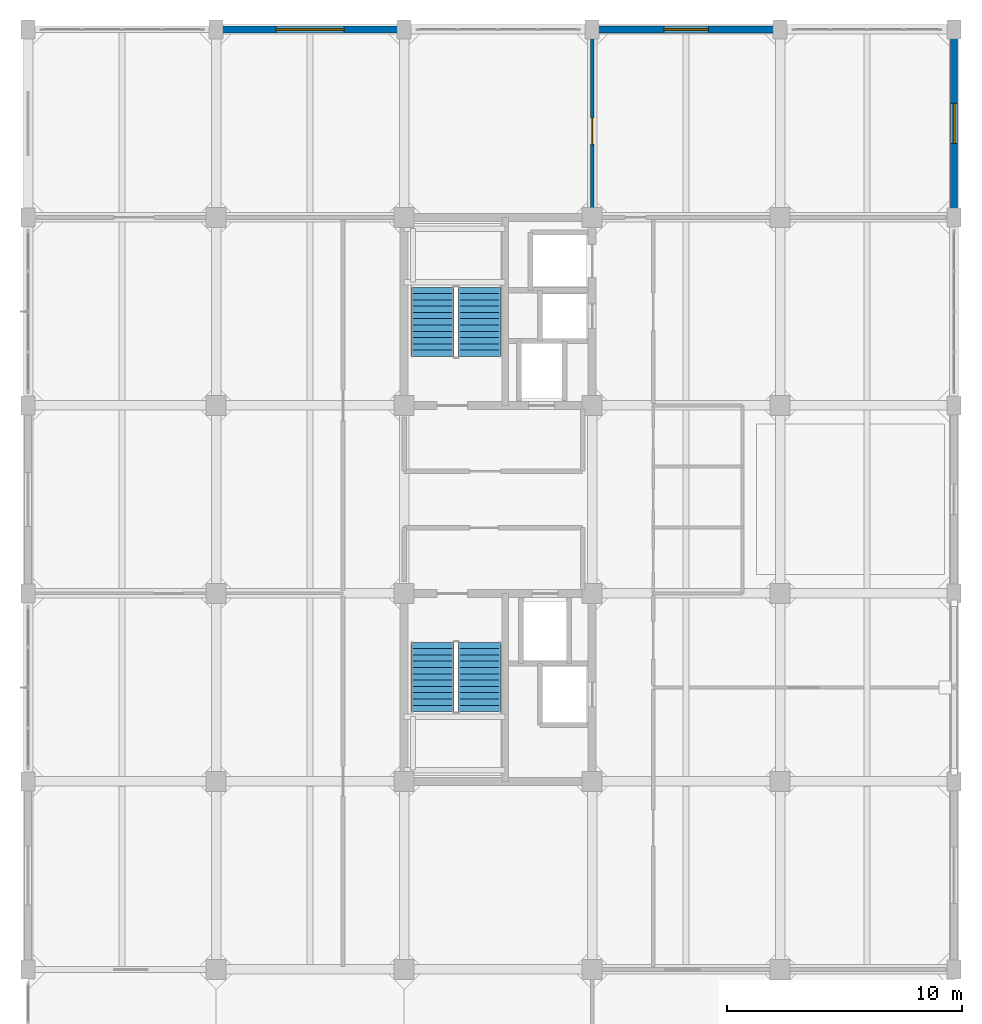
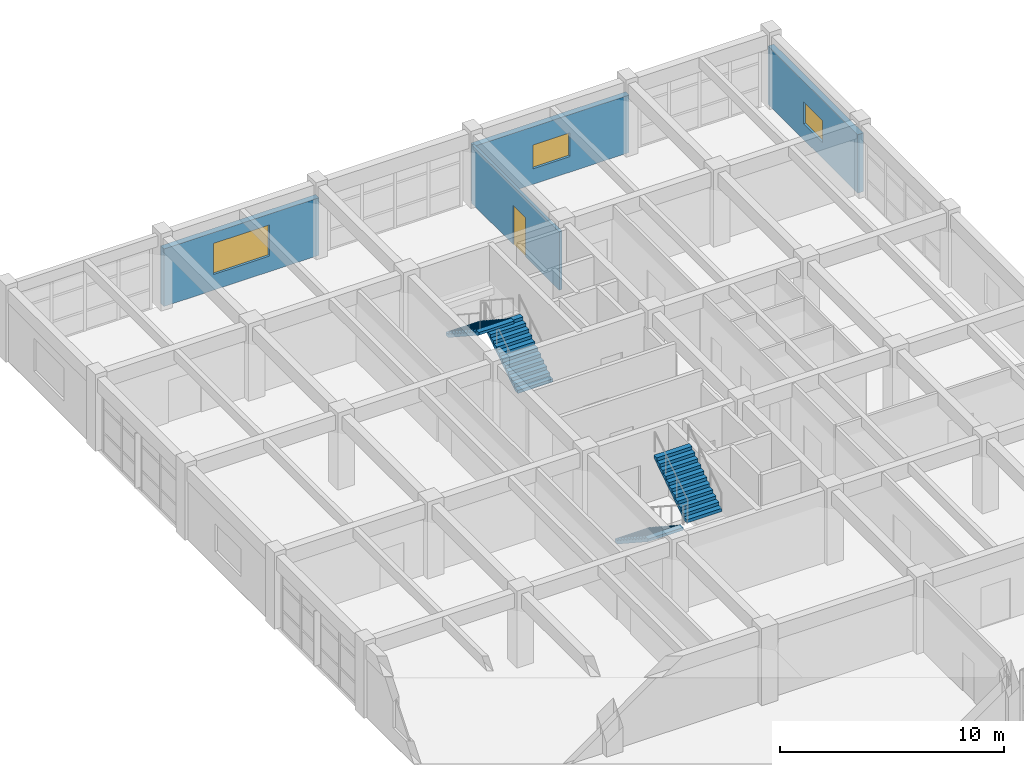
# One storey, part 23 of 27: 4 stair flights, 4 walls, 3 windows, 1 door, 4 openings, 2 elements without a shape of their own.
"""IFC4 building model written with IfcOpenShell, lengths in metres."""

from ifc_helpers import new_model, si_unit, direction, frame, frame_2d, origin, place, context, subcontext, project, spatial, polyline, rectangle, outline, extrude, material, layer, layer_set, type_object, element, fill, aggregate, save


model = new_model("IFC4")

# Units and contexts
model_context = context("Model", 3, precision=1e-05, world=origin(), true_north=direction((0.0, 1.0)))
body_context = subcontext(model_context, "Body", "Model", "MODEL_VIEW")
ifc_project = project(units=[si_unit("LENGTHUNIT", "METRE"), si_unit("AREAUNIT", "SQUARE_METRE"), si_unit("VOLUMEUNIT", "CUBIC_METRE"), si_unit("PLANEANGLEUNIT", "RADIAN"), si_unit("MASSUNIT", "GRAM", prefix="KILO")], contexts=[model_context])

# Site, building, storey
site_placement = place(None, origin())
site = spatial("IfcSite", under=ifc_project, at=site_placement, CompositionType="ELEMENT")
building_placement = place(site_placement, origin())
building = spatial("IfcBuilding", under=site, at=building_placement, Name="Canggui Botanical Conservatory", CompositionType="ELEMENT")
storey_placement = place(building_placement, frame((0.0, 0.0, 23.39990234375)))
storey = spatial("IfcBuildingStorey", under=building, at=storey_placement, Name="L06", CompositionType="ELEMENT", Elevation=23.39990234375)

# Wall, opening, window
ifc_material_1 = material(Name="Precast Concrete C40", Category="concrete")
ifc_layer_1 = layer(ifc_material_1, 0.300048828125, Name="Precast Concrete C40", Category="concrete")
ifc_layer_set_1 = layer_set([ifc_layer_1], Name="Precast Concrete C40")
wall_type_1 = type_object("IfcWallType", Name="EW-300", PredefinedType="STANDARD", material=ifc_layer_set_1)
wall_1_placement = place(storey_placement, frame((146.0, 74.0, 0.0), z_axis=(0.0, 0.0, 1.0), x_axis=(1.0, 0.0, 0.0)))
wall_1 = element("IfcWall", 1, at=wall_1_placement, inside=storey, type_object=wall_type_1, Name="Tower Insulated Exterior Wall L06-N13", PredefinedType="STANDARD", context=body_context, shape_type="SweptSolid", body=[
    extrude(rectangle(XDim=8.0, YDim=0.300048828125, at=frame_2d((4.0, 0.0))), origin(), (0.0, 0.0, 1.0), 3.14013671875),
])
opening_1_placement = place(wall_1_placement, frame((2.550048828125, 0.0, 0.85009765625)))
opening_1 = element("IfcOpeningElement", 2, at=opening_1_placement, cuts=wall_1, Name="Opening W-21", PredefinedType="OPENING", context=body_context, shape_type="SweptSolid", body=[
    extrude(rectangle(XDim=2.89990234375, YDim=1.699951171875, at=frame_2d((1.449951171875, 0.85009765625))), frame((0.0, 0.16015625, 0.0), z_axis=(0.0, -1.0, 0.0), x_axis=(1.0, 0.0, 0.0)), (0.0, 0.0, 1.0), 0.320068359375),
])
ifc_material_2 = material(Name="Low-E Insulated Glass", Category="glass")
window_type_1 = type_object("IfcWindowType", Name="WIN-21", PartitioningType="TRIPLE_PANEL_VERTICAL", PredefinedType="WINDOW", material=ifc_material_2)
window_1_placement = place(opening_1_placement, origin())
window_1 = element("IfcWindow", 3, at=window_1_placement, inside=storey, type_object=window_type_1, Name="Tower Window L06-13", OverallHeight=1.699951171875, OverallWidth=2.89990234375, PartitioningType="SINGLE_PANEL", PredefinedType="WINDOW", context=body_context, shape_type="SweptSolid", body=[
    extrude(rectangle(XDim=2.89990234375, YDim=1.699951171875, at=frame_2d((1.449951171875, 0.85009765625))), frame((0.0, 0.030029296875, 0.0), z_axis=(0.0, -1.0, 0.0), x_axis=(1.0, 0.0, 0.0)), (0.0, 0.0, 1.0), 0.06005859375),
])
fill(opening_1, window_1)

wall_2_placement = place(storey_placement, frame((162.0, 74.0, 0.0), z_axis=(0.0, 0.0, 1.0), x_axis=(1.0, 0.0, 0.0)))
wall_2 = element("IfcWall", 4, at=wall_2_placement, inside=storey, type_object=wall_type_1, Name="Tower Insulated Exterior Wall L06-N15", PredefinedType="STANDARD", context=body_context, shape_type="SweptSolid", body=[
    extrude(rectangle(XDim=8.0, YDim=0.300048828125, at=frame_2d((4.0, 0.0))), origin(), (0.0, 0.0, 1.0), 3.14013671875),
])
opening_2_placement = place(wall_2_placement, frame((3.050048828125, 0.0, 0.85009765625)))
opening_2 = element("IfcOpeningElement", 5, at=opening_2_placement, cuts=wall_2, Name="Opening W-22", PredefinedType="OPENING", context=body_context, shape_type="SweptSolid", body=[
    extrude(rectangle(XDim=1.89990234375, YDim=1.300048828125, at=frame_2d((0.949951171875, 0.64990234375))), frame((0.0, 0.16015625, 0.0), z_axis=(0.0, -1.0, 0.0), x_axis=(1.0, 0.0, 0.0)), (0.0, 0.0, 1.0), 0.320068359375),
])
window_type_2 = type_object("IfcWindowType", Name="WIN-22", PartitioningType="DOUBLE_PANEL_VERTICAL", PredefinedType="WINDOW", material=ifc_material_2)
window_2_placement = place(opening_2_placement, origin())
window_2 = element("IfcWindow", 6, at=window_2_placement, inside=storey, type_object=window_type_2, Name="Tower Window L06-15", OverallHeight=1.300048828125, OverallWidth=1.89990234375, PartitioningType="SINGLE_PANEL", PredefinedType="WINDOW", context=body_context, shape_type="SweptSolid", body=[
    extrude(rectangle(XDim=1.89990234375, YDim=1.300048828125, at=frame_2d((0.949951171875, 0.64990234375))), frame((0.0, 0.030029296875, 0.0), z_axis=(0.0, -1.0, 0.0), x_axis=(1.0, 0.0, 0.0)), (0.0, 0.0, 1.0), 0.06005859375),
])
fill(opening_2, window_2)

wall_3_placement = place(storey_placement, frame((177.39990234375, 74.0, 0.0), z_axis=(0.0, 0.0, 1.0), x_axis=(0.0, -1.0, 0.0)))
wall_3 = element("IfcWall", 7, at=wall_3_placement, inside=storey, type_object=wall_type_1, Name="Tower Insulated Exterior Wall L06-E17", PredefinedType="STANDARD", context=body_context, shape_type="SweptSolid", body=[
    extrude(rectangle(XDim=8.0, YDim=0.300048828125, at=frame_2d((4.0, 0.0))), origin(), (0.0, 0.0, 1.0), 3.190185546875),
])
opening_3_placement = place(wall_3_placement, frame((3.14990234375, 0.0, 0.85009765625)))
opening_3 = element("IfcOpeningElement", 8, at=opening_3_placement, cuts=wall_3, Name="Opening W-23", PredefinedType="OPENING", context=body_context, shape_type="SweptSolid", body=[
    extrude(rectangle(XDim=1.699951171875, YDim=1.199951171875, at=frame_2d((0.85009765625, 0.60009765625))), frame((0.0, 0.16015625, 0.0), z_axis=(0.0, -1.0, 0.0), x_axis=(1.0, 0.0, 0.0)), (0.0, 0.0, 1.0), 0.320068359375),
])
window_type_3 = type_object("IfcWindowType", Name="WIN-23", PartitioningType="SINGLE_PANEL", PredefinedType="WINDOW", material=ifc_material_2)
window_3_placement = place(opening_3_placement, origin())
window_3 = element("IfcWindow", 9, at=window_3_placement, inside=storey, type_object=window_type_3, Name="Tower Window L06-17", OverallHeight=1.199951171875, OverallWidth=1.699951171875, PartitioningType="SINGLE_PANEL", PredefinedType="WINDOW", context=body_context, shape_type="SweptSolid", body=[
    extrude(rectangle(XDim=1.699951171875, YDim=1.199951171875, at=frame_2d((0.85009765625, 0.60009765625))), frame((0.0, 0.030029296875, 0.0), z_axis=(0.0, -1.0, 0.0), x_axis=(1.0, 0.0, 0.0)), (0.0, 0.0, 1.0), 0.06005859375),
])
fill(opening_3, window_3)

# Wall, opening, door
ifc_material_3 = material(Name="Gypsum Plasterboard Partition")
ifc_layer_2 = layer(ifc_material_3, 0.139892578125, Name="Gypsum Plasterboard Partition")
ifc_layer_set_2 = layer_set([ifc_layer_2], Name="Gypsum Plasterboard Partition")
wall_type_2 = type_object("IfcWallType", Name="IW-PART-140", PredefinedType="STANDARD", material=ifc_layer_set_2)
wall_4_placement = place(storey_placement, frame((162.0, 66.1201171875, 0.0), z_axis=(0.0, 0.0, 1.0), x_axis=(0.0, 1.0, 0.0)))
wall_4 = element("IfcWall", 10, at=wall_4_placement, inside=storey, type_object=wall_type_2, Name="L06 Phenomics Data Analysis Room North Cross Wall", PredefinedType="STANDARD", context=body_context, shape_type="SweptSolid", body=[
    extrude(rectangle(XDim=7.829833984375, YDim=0.139892578125, at=frame_2d((3.9150390625, 0.0))), origin(), (0.0, 0.0, 1.0), 3.190185546875),
])
opening_4_placement = place(wall_4_placement, frame((3.0, 0.0, 0.0)))
opening_4 = element("IfcOpeningElement", 11, at=opening_4_placement, cuts=wall_4, Name="Opening ID-06", PredefinedType="OPENING", context=body_context, shape_type="SweptSolid", body=[
    extrude(rectangle(XDim=1.1201171875, YDim=2.1201171875, at=frame_2d((0.56005859375, 1.06005859375))), frame((0.0, 0.080078125, 0.0), z_axis=(0.0, -1.0, 0.0), x_axis=(1.0, 0.0, 0.0)), (0.0, 0.0, 1.0), 0.159912109375),
])
ifc_material_4 = material(Name="Engineered Timber Veneer", Category="wood")
door_type = type_object("IfcDoorType", Name="ID-06", OperationType="NOTDEFINED", PredefinedType="DOOR", material=ifc_material_4)
door_placement = place(opening_4_placement, origin())
door = element("IfcDoor", 12, at=door_placement, inside=storey, type_object=door_type, Name="Interior Door IW-L06-NDIV-1", OperationType="SINGLE_SWING_RIGHT", OverallHeight=2.1201171875, OverallWidth=1.1201171875, PredefinedType="DOOR", context=body_context, shape_type="SweptSolid", body=[
    extrude(rectangle(XDim=1.1201171875, YDim=2.1201171875, at=frame_2d((0.56005859375, 1.06005859375))), frame((0.0, 0.02490234375, 0.0), z_axis=(0.0, -1.0, 0.0), x_axis=(1.0, 0.0, 0.0)), (0.0, 0.0, 1.0), 0.050048828125),
])
fill(opening_4, door)

# Stair, stair flights
ifc_material_5 = material(Name="Concrete C35", Category="concrete")
stair_type = type_object("IfcStairType", Name="STR-TYPE-6", PredefinedType="HALF_TURN_STAIR", material=ifc_material_5)
stair_1_placement = place(storey_placement, origin())
stair_1 = element("IfcStair", 13, at=stair_1_placement, inside=storey, type_object=stair_type, Name="L06 Tower South Smoke-Proof Stair ST-T1", PredefinedType="HALF_TURN_STAIR")
stair_flight_type = type_object("IfcStairFlightType", Name="SFL-TYPE-6", PredefinedType="STRAIGHT", material=ifc_material_5)
stair_flight_1_placement = place(storey_placement, frame((155.2099609375, 47.919921875, 0.0), z_axis=(0.0, 0.0, 1.0), x_axis=(0.0, -1.0, 0.0)))
stair_flight_1 = element("IfcStairFlight", 14, at=stair_flight_1_placement, type_object=stair_flight_type, Name="ST-T1 flight 1", NumberOfRisers=12, NumberOfTreads=11, PredefinedType="STRAIGHT", RiserHeight=0.175, TreadLength=0.268, context=body_context, shape_type="SweptSolid", body=[
    extrude(outline(polyline([(0.0, 0.0), (0.0, 0.175048828125), (0.26806640625, 0.175048828125), (0.26806640625, 0.35009765625), (0.535888671875, 0.35009765625), (0.535888671875, 0.52490234375), (0.803955078125, 0.52490234375), (0.803955078125, 0.699951171875), (1.072021484375, 0.699951171875), (1.072021484375, 0.875), (1.340087890625, 0.875), (1.340087890625, 1.050048828125), (1.60791015625, 1.050048828125), (1.60791015625, 1.22509765625), (1.8759765625, 1.22509765625), (1.8759765625, 1.39990234375), (2.14404296875, 1.39990234375), (2.14404296875, 1.574951171875), (2.412109375, 1.574951171875), (2.412109375, 1.75), (2.679931640625, 1.75), (2.679931640625, 1.925048828125), (2.947998046875, 1.925048828125), (2.947998046875, 2.10009765625), (2.947998046875, 1.781494140625), (0.2197265625, 0.0), (0.0, 0.0)])), frame((0.0, 0.91015625, 0.0), z_axis=(0.0, -1.0, 0.0), x_axis=(1.0, 0.0, 0.0)), (0.0, 0.0, 1.0), 1.820068359375),
])
stair_flight_2_placement = place(storey_placement, frame((157.2099609375, 44.971923828125, 2.10009765625), z_axis=(0.0, 0.0, 1.0), x_axis=(0.0, 1.0, 0.0)))
stair_flight_2 = element("IfcStairFlight", 15, at=stair_flight_2_placement, type_object=stair_flight_type, Name="ST-T1 flight 2", NumberOfRisers=12, NumberOfTreads=11, PredefinedType="STRAIGHT", RiserHeight=0.175, TreadLength=0.268, context=body_context, shape_type="SweptSolid", body=[
    extrude(outline(polyline([(0.0, 0.0), (0.0, 0.175048828125), (0.26806640625, 0.175048828125), (0.26806640625, 0.35009765625), (0.535888671875, 0.35009765625), (0.535888671875, 0.52490234375), (0.803955078125, 0.52490234375), (0.803955078125, 0.699951171875), (1.072021484375, 0.699951171875), (1.072021484375, 0.875), (1.340087890625, 0.875), (1.340087890625, 1.050048828125), (1.60791015625, 1.050048828125), (1.60791015625, 1.22509765625), (1.8759765625, 1.22509765625), (1.8759765625, 1.39990234375), (2.14404296875, 1.39990234375), (2.14404296875, 1.574951171875), (2.412109375, 1.574951171875), (2.412109375, 1.75), (2.679931640625, 1.75), (2.679931640625, 1.925048828125), (2.947998046875, 1.925048828125), (2.947998046875, 2.10009765625), (2.947998046875, 1.781494140625), (0.2197265625, 0.0), (0.0, 0.0)])), frame((0.0, 0.91015625, 0.0), z_axis=(0.0, -1.0, 0.0), x_axis=(1.0, 0.0, 0.0)), (0.0, 0.0, 1.0), 1.820068359375),
])
aggregate(stair_1, [stair_flight_1, stair_flight_2])

stair_2_placement = place(storey_placement, origin())
stair_2 = element("IfcStair", 16, at=stair_2_placement, inside=storey, type_object=stair_type, Name="L06 Tower North Smoke-Proof Stair ST-T2", PredefinedType="HALF_TURN_STAIR")
stair_flight_3_placement = place(storey_placement, frame((157.2099609375, 60.080078125, 0.0), z_axis=(0.0, 0.0, 1.0), x_axis=(0.0, 1.0, 0.0)))
stair_flight_3 = element("IfcStairFlight", 17, at=stair_flight_3_placement, type_object=stair_flight_type, Name="ST-T2 flight 1", NumberOfRisers=12, NumberOfTreads=11, PredefinedType="STRAIGHT", RiserHeight=0.175, TreadLength=0.268, context=body_context, shape_type="SweptSolid", body=[
    extrude(outline(polyline([(0.0, 0.0), (0.0, 0.175048828125), (0.26806640625, 0.175048828125), (0.26806640625, 0.35009765625), (0.535888671875, 0.35009765625), (0.535888671875, 0.52490234375), (0.803955078125, 0.52490234375), (0.803955078125, 0.699951171875), (1.072021484375, 0.699951171875), (1.072021484375, 0.875), (1.340087890625, 0.875), (1.340087890625, 1.050048828125), (1.60791015625, 1.050048828125), (1.60791015625, 1.22509765625), (1.8759765625, 1.22509765625), (1.8759765625, 1.39990234375), (2.14404296875, 1.39990234375), (2.14404296875, 1.574951171875), (2.412109375, 1.574951171875), (2.412109375, 1.75), (2.679931640625, 1.75), (2.679931640625, 1.925048828125), (2.947998046875, 1.925048828125), (2.947998046875, 2.10009765625), (2.947998046875, 1.781494140625), (0.2197265625, 0.0), (0.0, 0.0)])), frame((0.0, 0.91015625, 0.0), z_axis=(0.0, -1.0, 0.0), x_axis=(1.0, 0.0, 0.0)), (0.0, 0.0, 1.0), 1.820068359375),
])
stair_flight_4_placement = place(storey_placement, frame((155.2099609375, 63.028076171875, 2.10009765625), z_axis=(0.0, 0.0, 1.0), x_axis=(0.0, -1.0, 0.0)))
stair_flight_4 = element("IfcStairFlight", 18, at=stair_flight_4_placement, type_object=stair_flight_type, Name="ST-T2 flight 2", NumberOfRisers=12, NumberOfTreads=11, PredefinedType="STRAIGHT", RiserHeight=0.175, TreadLength=0.268, context=body_context, shape_type="SweptSolid", body=[
    extrude(outline(polyline([(0.0, 0.0), (0.0, 0.175048828125), (0.26806640625, 0.175048828125), (0.26806640625, 0.35009765625), (0.535888671875, 0.35009765625), (0.535888671875, 0.52490234375), (0.803955078125, 0.52490234375), (0.803955078125, 0.699951171875), (1.072021484375, 0.699951171875), (1.072021484375, 0.875), (1.340087890625, 0.875), (1.340087890625, 1.050048828125), (1.60791015625, 1.050048828125), (1.60791015625, 1.22509765625), (1.8759765625, 1.22509765625), (1.8759765625, 1.39990234375), (2.14404296875, 1.39990234375), (2.14404296875, 1.574951171875), (2.412109375, 1.574951171875), (2.412109375, 1.75), (2.679931640625, 1.75), (2.679931640625, 1.925048828125), (2.947998046875, 1.925048828125), (2.947998046875, 2.10009765625), (2.947998046875, 1.781494140625), (0.2197265625, 0.0), (0.0, 0.0)])), frame((0.0, 0.91015625, 0.0), z_axis=(0.0, -1.0, 0.0), x_axis=(1.0, 0.0, 0.0)), (0.0, 0.0, 1.0), 1.820068359375),
])
aggregate(stair_2, [stair_flight_3, stair_flight_4])

save(model, "model.ifc")
